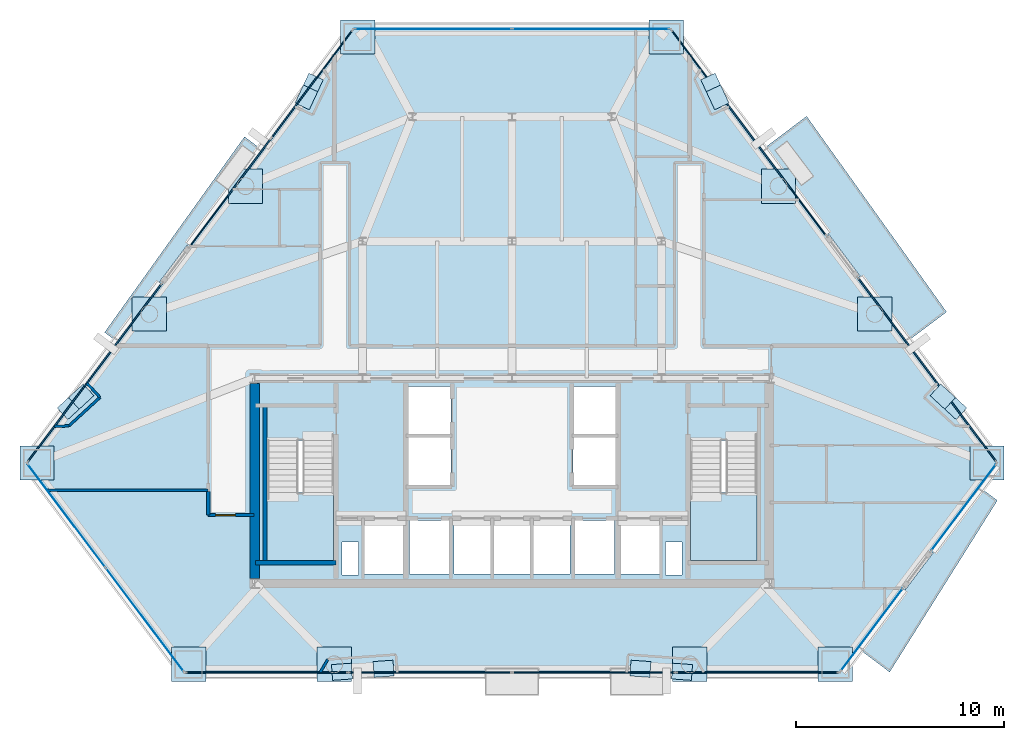
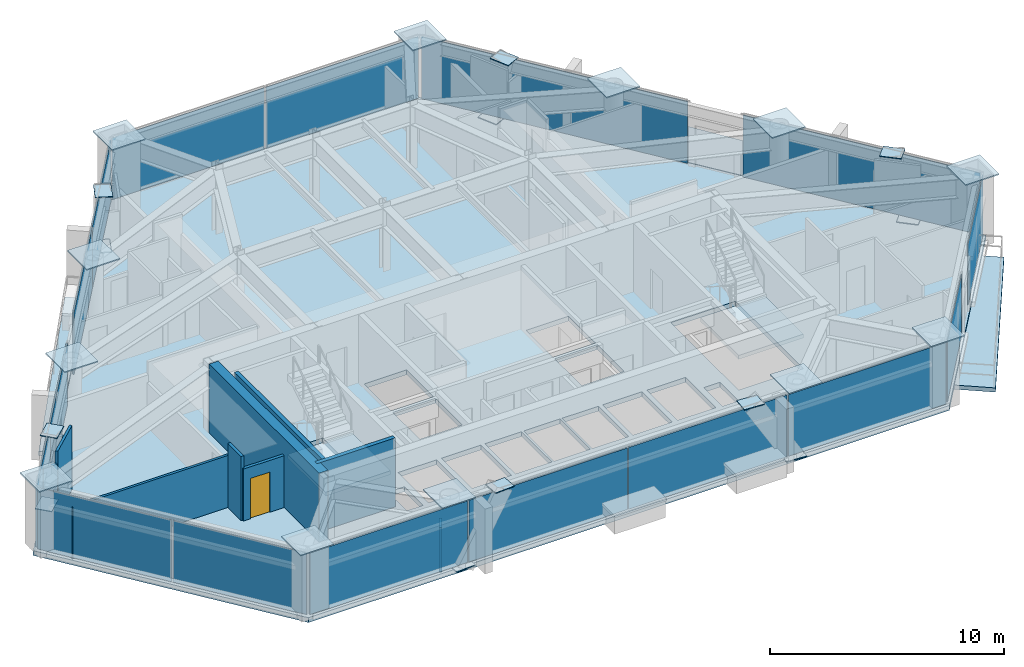
# One storey, part 5 of 10: 39 plates, 10 walls, 6 slabs, 1 door, 1 opening, 11 elements without a shape of their own.
"""IFC4 building model written with IfcOpenShell, lengths in metres."""

from ifc_helpers import new_model, si_unit, direction, frame, frame_2d, origin, origin_2d, place, context, subcontext, project, spatial, polyline, rectangle, outline, extrude, source, transform, mapped, material, layer, layer_set, type_object, type_shapes, element, fill, aggregate, save


model = new_model("IFC4")

# Units and contexts
model_context = context("Model", 3, precision=1e-05, world=origin(), true_north=direction((0.0, 1.0)))
body_context = subcontext(model_context, "Body", "Model", "MODEL_VIEW")
ifc_project = project(units=[si_unit("LENGTHUNIT", "METRE"), si_unit("AREAUNIT", "SQUARE_METRE"), si_unit("VOLUMEUNIT", "CUBIC_METRE"), si_unit("PLANEANGLEUNIT", "RADIAN"), si_unit("MASSUNIT", "GRAM", prefix="KILO")], contexts=[model_context])

# Site, building, storey
site_placement = place(None, origin())
site = spatial("IfcSite", under=ifc_project, at=site_placement, CompositionType="ELEMENT")
building_placement = place(site_placement, origin())
building = spatial("IfcBuilding", under=site, at=building_placement, Name="Talgorran Terracotta Tower", CompositionType="ELEMENT")
storey_placement = place(building_placement, frame((0.0, 0.0, 64.800048828125)))
storey = spatial("IfcBuildingStorey", under=building, at=storey_placement, Name="L16", CompositionType="ELEMENT", Elevation=64.800048828125)

# Plates
ifc_material_1 = material(Name="Steel Grade 350 (350L0)", Category="steel")
ifc_layer_1 = layer(ifc_material_1, 0.0400390625, Name="PL_CAP_MN05")
ifc_layer_set_1 = layer_set([ifc_layer_1], Name="Steel Grade 350 (350L0)")
plate_type_1 = type_object("IfcPlateType", Name="PL_CAP_MN05", PredefinedType="USERDEFINED", material=ifc_layer_set_1)
for number, where, z_axis, x_axis, name in (
    (1, (-8.19482421875, -18.35107421875, -0.010009765625), (0.0, 0.0, 1.0), (0.997428289081, 0.0716715295, 0.0), "L16 Diagonal Frame End Cap SWF Bot"),
    (2, (-6.187255859375, -18.206787109375, 3.31982421875), (0.0, 0.0, 1.0), (0.997428289081, 0.0716715295, 0.0), "L16 Diagonal Frame End Cap SWF Top"),
    (3, (8.19482421875, -18.35107421875, -0.010009765625), (0.0, 0.0, 1.0), (-0.997428289081, 0.0716715295, 0.0), "L16 Diagonal Frame End Cap SEF Bot"),
    (4, (6.187255859375, -18.206787109375, 3.31982421875), (0.0, 0.0, 1.0), (-0.997428289081, 0.0716715295, 0.0), "L16 Diagonal Frame End Cap SEF Top"),
    (5, (21.30810546875, -5.593017578125, -0.010009765625), (0.0, 0.0, 1.0), (-0.736687492475, 0.67623334614, 0.0), "L16 Diagonal Frame End Cap NEL Bot"),
    (6, (20.759765625, -5.089599609375, 3.31982421875), (0.0, 0.0, 1.0), (-0.736687492475, 0.67623334614, 0.0), "L16 Diagonal Frame End Cap NEL Top"),
    (7, (9.64501953125, 9.89990234375, -0.010009765625), (0.0, 0.0, 1.0), (0.421827198174, -0.906676245901, 0.0), "L16 Diagonal Frame End Cap NEU Bot"),
    (8, (9.910400390625, 9.32958984375, 3.31982421875), (0.0, 0.0, 1.0), (0.421827198174, -0.906676245901, 0.0), "L16 Diagonal Frame End Cap NEU Top"),
    (9, (-9.64501953125, 9.89990234375, -0.010009765625), (0.0, 0.0, 1.0), (-0.421827198174, -0.906676245901, 0.0), "L16 Diagonal Frame End Cap NWU Bot"),
    (10, (-9.910400390625, 9.32958984375, 3.31982421875), (0.0, 0.0, 1.0), (-0.421827198174, -0.906676245901, 0.0), "L16 Diagonal Frame End Cap NWU Top"),
    (11, (-21.30810546875, -5.593017578125, -0.010009765625), (0.0, 0.0, 1.0), (0.736687492475, 0.67623334614, 0.0), "L16 Diagonal Frame End Cap NWL Bot"),
    (12, (-20.759765625, -5.089599609375, 3.31982421875), (0.0, 0.0, 1.0), (0.736687492475, 0.67623334614, 0.0), "L16 Diagonal Frame End Cap NWL Top"),
):
    element("IfcPlate", number, at=place(storey_placement, frame(where, z_axis=z_axis, x_axis=x_axis)), inside=storey, type_object=plate_type_1, Name=name, ObjectType="CAP PLATE", PredefinedType="USERDEFINED", context=body_context, shape_type="SweptSolid", body=[
        extrude(rectangle(XDim=0.9599609375, YDim=0.760009765625, at=origin_2d()), origin(), (0.0, 0.0, 1.0), 0.0400390625),
    ])
ifc_layer_2 = layer(ifc_material_1, 0.06005859375, Name="PL_NODE_MN01")
ifc_layer_set_2 = layer_set([ifc_layer_2], Name="Steel Grade 350 (350L0)")
plate_type_2 = type_object("IfcPlateType", Name="PL_NODE_MN01", PredefinedType="USERDEFINED", material=ifc_layer_set_2)
for number, where, z_axis, x_axis, name in (
    (13, (-22.88525390625, -8.28662109375, 3.5849609375), (0.0, 0.0, 1.0), (1.0, 0.0, 0.0), "L16 Mega-Column Cap Plate MC1"),
    (14, (-15.57958984375, -17.9912109375, 3.5849609375), (0.0, 0.0, 1.0), (1.0, 0.0, 0.0), "L16 Mega-Column Cap Plate MC2"),
    (15, (15.57958984375, -17.9912109375, 3.5849609375), (0.0, 0.0, 1.0), (1.0, 0.0, 0.0), "L16 Mega-Column Cap Plate MC3"),
    (16, (22.88525390625, -8.28662109375, 3.5849609375), (0.0, 0.0, 1.0), (1.0, 0.0, 0.0), "L16 Mega-Column Cap Plate MC4"),
    (17, (7.437744140625, 12.2333984375, 3.5849609375), (0.0, 0.0, 1.0), (1.0, 0.0, 0.0), "L16 Mega-Column Cap Plate MC5"),
    (18, (-7.437744140625, 12.2333984375, 3.5849609375), (0.0, 0.0, 1.0), (1.0, 0.0, 0.0), "L16 Mega-Column Cap Plate MC6"),
    (19, (-8.56884765625, -17.9912109375, 3.5849609375), (0.0, 0.0, 1.0), (1.0, 0.0, 0.0), "L16 Facet Column Cap Plate FC1"),
    (20, (8.56884765625, -17.9912109375, 3.5849609375), (0.0, 0.0, 1.0), (1.0, 0.0, 0.0), "L16 Facet Column Cap Plate FC2"),
    (21, (17.478515625, -1.1044921875, 3.5849609375), (0.0, 0.0, 1.0), (1.0, 0.0, 0.0), "L16 Facet Column Cap Plate FC3"),
    (22, (12.844482421875, 5.05126953125, 3.5849609375), (0.0, 0.0, 1.0), (1.0, 0.0, 0.0), "L16 Facet Column Cap Plate FC4"),
    (23, (-12.844482421875, 5.05126953125, 3.5849609375), (0.0, 0.0, 1.0), (1.0, 0.0, 0.0), "L16 Facet Column Cap Plate FC5"),
    (24, (-17.478515625, -1.1044921875, 3.5849609375), (0.0, 0.0, 1.0), (1.0, 0.0, 0.0), "L16 Facet Column Cap Plate FC6"),
):
    element("IfcPlate", number, at=place(storey_placement, frame(where, z_axis=z_axis, x_axis=x_axis)), inside=storey, type_object=plate_type_2, Name=name, ObjectType="NODE PLATE", PredefinedType="USERDEFINED", context=body_context, shape_type="SweptSolid", body=[
        extrude(rectangle(XDim=1.64990234375, YDim=1.64990234375, at=origin_2d()), origin(), (0.0, 0.0, 1.0), 0.06005859375),
    ])

# Slabs
ifc_material_2 = material(Name="Concrete C40/50", Category="concrete")
ifc_layer_3 = layer(ifc_material_2, 0.219970703125, Name="SL_BALCONY_220")
ifc_layer_set_3 = layer_set([ifc_layer_3], Name="Concrete C40/50")
slab_type_1 = type_object("IfcSlabType", Name="SL_BALCONY_220", PredefinedType="FLOOR", material=ifc_layer_set_3)
slab_1_placement = place(storey_placement, frame((0.0, 0.0, -0.219970703125)))
element("IfcSlab", 25, at=slab_1_placement, inside=storey, type_object=slab_type_1, Name="L16 Outdoor Wave Balcony BAL-NE", PredefinedType="FLOOR", context=body_context, shape_type="SweptSolid", body=[
    extrude(outline(polyline([(12.14404296875, 6.87109375), (19.11328125, -2.386474609375), (20.940673828125, -1.0107421875), (14.197509765625, 8.4169921875), (12.14404296875, 6.87109375)])), origin(), (0.0, 0.0, 1.0), 0.219970703125),
])
slab_2_placement = place(storey_placement, frame((0.0, 0.0, -0.219970703125)))
element("IfcSlab", 26, at=slab_2_placement, inside=storey, type_object=slab_type_1, Name="L16 Outdoor Wave Balcony BAL-NW", PredefinedType="FLOOR", context=body_context, shape_type="SweptSolid", body=[
    extrude(outline(polyline([(-19.11328125, -2.386474609375), (-12.14404296875, 6.87109375), (-12.88916015625, 7.43212890625), (-19.63232421875, -1.99560546875), (-19.11328125, -2.386474609375)])), origin(), (0.0, 0.0, 1.0), 0.219970703125),
])
slab_3_placement = place(storey_placement, frame((0.0, 0.0, -0.219970703125)))
element("IfcSlab", 27, at=slab_3_placement, inside=storey, type_object=slab_type_1, Name="L16 Outdoor Wave Balcony BAL-SE", PredefinedType="FLOOR", context=body_context, shape_type="SweptSolid", body=[
    extrude(outline(polyline([(22.62451171875, -9.522705078125), (16.774658203125, -17.293212890625), (18.19921875, -18.365478515625), (23.388671875, -10.097900390625), (22.62451171875, -9.522705078125)])), origin(), (0.0, 0.0, 1.0), 0.219970703125),
])

# Stair, slab
stair_type = type_object("IfcStairType", Name="ST_FIRE_SCISSOR", PredefinedType="HALF_TURN_STAIR", material=ifc_material_2)
stair_1_placement = place(storey_placement, origin())
stair_1 = element("IfcStair", 28, at=stair_1_placement, inside=storey, type_object=stair_type, Name="L16 West Protected Fire Stair ST-01", PredefinedType="HALF_TURN_STAIR")
ifc_layer_4 = layer(ifc_material_2, 0.199951171875, Name="SL_LANDING_200")
ifc_layer_set_4 = layer_set([ifc_layer_4], Name="Concrete C40/50")
slab_type_2 = type_object("IfcSlabType", Name="SL_LANDING_200", PredefinedType="LANDING", material=ifc_layer_set_4)
slab_4_placement = place(storey_placement, frame((0.0, 0.0, 1.599853515625)))
slab_4 = element("IfcSlab", 29, at=slab_4_placement, type_object=slab_type_2, Name="ST-01 landing 1", PredefinedType="LANDING", context=body_context, shape_type="SweptSolid", body=[
    extrude(outline(polyline([(-11.800048828125, -9.719970703125), (-11.800048828125, -13.0), (-8.60009765625, -13.0), (-8.60009765625, -9.719970703125), (-11.800048828125, -9.719970703125)])), origin(), (0.0, 0.0, 1.0), 0.2001953125),
])
aggregate(stair_1, [slab_4])

stair_2_placement = place(storey_placement, origin())
stair_2 = element("IfcStair", 30, at=stair_2_placement, inside=storey, type_object=stair_type, Name="L16 East Protected Fire Stair ST-02", PredefinedType="HALF_TURN_STAIR")
slab_5_placement = place(storey_placement, frame((0.0, 0.0, 1.599853515625)))
slab_5 = element("IfcSlab", 31, at=slab_5_placement, type_object=slab_type_2, Name="ST-02 landing 1", PredefinedType="LANDING", context=body_context, shape_type="SweptSolid", body=[
    extrude(outline(polyline([(8.60009765625, -9.719970703125), (8.60009765625, -13.0), (11.800048828125, -13.0), (11.800048828125, -9.719970703125), (8.60009765625, -9.719970703125)])), origin(), (0.0, 0.0, 1.0), 0.2001953125),
])
aggregate(stair_2, [slab_5])

# Slab
ifc_layer_5 = layer(ifc_material_2, 0.264892578125, Name="SL_TOWER_265")
ifc_layer_set_5 = layer_set([ifc_layer_5], Name="Concrete C40/50")
slab_type_3 = type_object("IfcSlabType", Name="SL_TOWER_265", PredefinedType="FLOOR", material=ifc_layer_set_5)
slab_6_placement = place(storey_placement, frame((0.0, 0.0, -0.25)))
element("IfcSlab", 32, at=slab_6_placement, inside=storey, type_object=slab_type_3, Name="Storey L16 Structural Floor Slab", PredefinedType="FLOOR", context=body_context, shape_type="SweptSolid", body=[
    extrude(outline(polyline([(-23.5361328125, -8.28662109375), (-15.839111328125, -18.510986328125), (15.839111328125, -18.510986328125), (23.5361328125, -8.28662109375), (7.697021484375, 12.75341796875), (-7.697021484375, 12.75341796875), (-23.5361328125, -8.28662109375)]), holes=[polyline([(-11.800048828125, -7.199951171875), (-11.800048828125, -13.0), (-8.60009765625, -13.0), (-8.60009765625, -7.199951171875), (-11.800048828125, -7.199951171875)]), polyline([(8.60009765625, -7.199951171875), (8.60009765625, -13.0), (11.800048828125, -13.0), (11.800048828125, -7.199951171875), (8.60009765625, -7.199951171875)]), polyline([(-7.10009765625, -13.64990234375), (-5.199951171875, -13.64990234375), (-5.199951171875, -11.050048828125), (-7.10009765625, -11.050048828125), (-7.10009765625, -13.64990234375)]), polyline([(5.199951171875, -13.64990234375), (7.10009765625, -13.64990234375), (7.10009765625, -11.050048828125), (5.199951171875, -11.050048828125), (5.199951171875, -13.64990234375)]), polyline([(3.0, -13.64990234375), (4.949951171875, -13.64990234375), (4.949951171875, -11.050048828125), (3.0, -11.050048828125), (3.0, -13.64990234375)]), polyline([(-4.949951171875, -13.64990234375), (-3.0, -13.64990234375), (-3.0, -11.050048828125), (-4.949951171875, -11.050048828125), (-4.949951171875, -13.64990234375)]), polyline([(-5.050048828125, -9.35009765625), (-2.949951171875, -9.35009765625), (-2.949951171875, -7.050048828125), (-5.050048828125, -7.050048828125), (-5.050048828125, -9.35009765625)]), polyline([(-5.050048828125, -6.89990234375), (-2.949951171875, -6.89990234375), (-2.949951171875, -4.60009765625), (-5.050048828125, -4.60009765625), (-5.050048828125, -6.89990234375)]), polyline([(2.949951171875, -9.35009765625), (5.050048828125, -9.35009765625), (5.050048828125, -7.050048828125), (2.949951171875, -7.050048828125), (2.949951171875, -9.35009765625)]), polyline([(2.949951171875, -6.89990234375), (5.050048828125, -6.89990234375), (5.050048828125, -4.60009765625), (2.949951171875, -4.60009765625), (2.949951171875, -6.89990234375)]), polyline([(-2.800048828125, -13.64990234375), (-1.0, -13.64990234375), (-1.0, -11.050048828125), (-2.800048828125, -11.050048828125), (-2.800048828125, -13.64990234375)]), polyline([(-0.89990234375, -13.64990234375), (0.89990234375, -13.64990234375), (0.89990234375, -11.050048828125), (-0.89990234375, -11.050048828125), (-0.89990234375, -13.64990234375)]), polyline([(1.0, -13.64990234375), (2.800048828125, -13.64990234375), (2.800048828125, -11.050048828125), (1.0, -11.050048828125), (1.0, -13.64990234375)]), polyline([(-8.199951171875, -13.699951171875), (-7.39990234375, -13.699951171875), (-7.39990234375, -12.10009765625), (-8.199951171875, -12.10009765625), (-8.199951171875, -13.699951171875)]), polyline([(7.39990234375, -13.699951171875), (8.199951171875, -13.699951171875), (8.199951171875, -12.10009765625), (7.39990234375, -12.10009765625), (7.39990234375, -13.699951171875)])]), origin(), (0.0, 0.0, 1.0), 0.25),
])

# Curtain wall, plates
ifc_material_3 = material(Name="Unitised Low-E Double Glazing", Category="glass")
ifc_layer_6 = layer(ifc_material_3, 0.199951171875, Name="CW_SYS2_RES_LOW")
ifc_layer_set_6 = layer_set([ifc_layer_6], Name="Unitised Low-E Double Glazing")
curtain_wall_type = type_object("IfcCurtainWallType", Name="CW_SYS2_RES_LOW", PredefinedType="NOTDEFINED", material=ifc_layer_set_6)
curtain_wall_1_placement = place(storey_placement, origin())
curtain_wall_1 = element("IfcCurtainWall", 33, at=curtain_wall_1_placement, inside=storey, type_object=curtain_wall_type, Name="CW-L16-F0", PredefinedType="NOTDEFINED")
ifc_material_4 = material(Name="Low-E Laminated Vision Glass", Category="glass")
ifc_layer_7 = layer(ifc_material_4, 0.028076171875, Name="PLT_VISION_28")
ifc_layer_set_7 = layer_set([ifc_layer_7], Name="Low-E Laminated Vision Glass")
plate_type_3 = type_object("IfcPlateType", Name="PLT_VISION_28", PredefinedType="CURTAIN_PANEL", material=ifc_layer_set_7)
shared_shape_1 = source(origin(), body_context, "Body", "SweptSolid", [
    extrude(rectangle(XDim=6.226318359375, YDim=0.028076171875, at=origin_2d()), origin(), (0.0, 0.0, 1.0), 3.219970703125),
])
plate_1_placement = place(storey_placement, frame((-21.474609375, -10.82568359375, 0.06494140625), z_axis=(0.0, 0.0, 1.0), x_axis=(0.601442440957, -0.798916134657, 0.0)))
plate_1 = element("IfcPlate", 34, at=plate_1_placement, type_object=plate_type_3, Name="CW-L16-0 panel 1.1", PredefinedType="CURTAIN_PANEL", context=body_context, shape_type="MappedRepresentation", body=[
    mapped(shared_shape_1, transform((0.0, 0.0, 0.0), scale=1.0)),
])
plate_2_placement = place(storey_placement, frame((-17.690673828125, -15.85205078125, 0.06494140625), z_axis=(0.0, 0.0, 1.0), x_axis=(0.601442440957, -0.798916134657, 0.0)))
plate_2 = element("IfcPlate", 35, at=plate_2_placement, type_object=plate_type_3, Name="CW-L16-0 panel 2.1", PredefinedType="CURTAIN_PANEL", context=body_context, shape_type="MappedRepresentation", body=[
    mapped(shared_shape_1, transform((0.0, 0.0, 0.0), scale=1.0)),
])
aggregate(curtain_wall_1, [plate_1, plate_2])

curtain_wall_2_placement = place(storey_placement, origin())
curtain_wall_2 = element("IfcCurtainWall", 36, at=curtain_wall_2_placement, inside=storey, type_object=curtain_wall_type, Name="CW-L16-F1", PredefinedType="NOTDEFINED")
ifc_material_5 = material(Name="Terracotta Insulated Spandrel", Category="masonry")
ifc_layer_8 = layer(ifc_material_5, 0.06494140625, Name="PLT_SPANDREL_TERRA")
ifc_layer_set_8 = layer_set([ifc_layer_8], Name="Terracotta Insulated Spandrel")
plate_type_4 = type_object("IfcPlateType", Name="PLT_SPANDREL_TERRA", PredefinedType="SHEET", material=ifc_layer_set_8)
shared_shape_2 = source(origin(), body_context, "Body", "SweptSolid", [
    extrude(rectangle(XDim=7.7919921875, YDim=0.06494140625, at=origin_2d()), origin(), (0.0, 0.0, 1.0), 3.219970703125),
])
plate_3_placement = place(storey_placement, frame((-11.818115234375, -18.39111328125, 0.06494140625), z_axis=(0.0, 0.0, 1.0), x_axis=(1.0, 0.0, 0.0)))
plate_3 = element("IfcPlate", 37, at=plate_3_placement, type_object=plate_type_4, Name="CW-L16-1 panel 1.1", PredefinedType="CURTAIN_PANEL", context=body_context, shape_type="MappedRepresentation", body=[
    mapped(shared_shape_2, transform((0.0, 0.0, 0.0), scale=1.0)),
])
plate_4_placement = place(storey_placement, frame((11.818115234375, -18.39111328125, 0.06494140625), z_axis=(0.0, 0.0, 1.0), x_axis=(1.0, 0.0, 0.0)))
plate_4 = element("IfcPlate", 38, at=plate_4_placement, type_object=plate_type_4, Name="CW-L16-1 panel 4.1", PredefinedType="CURTAIN_PANEL", context=body_context, shape_type="MappedRepresentation", body=[
    mapped(shared_shape_2, transform((0.0, 0.0, 0.0), scale=1.0)),
])
shared_shape_3 = source(origin(), body_context, "Body", "SweptSolid", [
    extrude(rectangle(XDim=7.824462890625, YDim=0.06494140625, at=origin_2d()), origin(), (0.0, 0.0, 1.0), 3.219970703125),
])
plate_5_placement = place(storey_placement, frame((-3.94482421875, -18.39111328125, 0.06494140625), z_axis=(0.0, 0.0, 1.0), x_axis=(1.0, 0.0, 0.0)))
plate_5 = element("IfcPlate", 39, at=plate_5_placement, type_object=plate_type_4, Name="CW-L16-1 panel 2.1", PredefinedType="CURTAIN_PANEL", context=body_context, shape_type="MappedRepresentation", body=[
    mapped(shared_shape_3, transform((0.0, 0.0, 0.0), scale=1.0)),
])
plate_6_placement = place(storey_placement, frame((3.94482421875, -18.39111328125, 0.06494140625), z_axis=(0.0, 0.0, 1.0), x_axis=(1.0, 0.0, 0.0)))
plate_6 = element("IfcPlate", 40, at=plate_6_placement, type_object=plate_type_4, Name="CW-L16-1 panel 3.1", PredefinedType="CURTAIN_PANEL", context=body_context, shape_type="MappedRepresentation", body=[
    mapped(shared_shape_3, transform((0.0, 0.0, 0.0), scale=1.0)),
])
aggregate(curtain_wall_2, [plate_3, plate_5, plate_6, plate_4])

# Curtain wall, plate
curtain_wall_3_placement = place(storey_placement, origin())
curtain_wall_3 = element("IfcCurtainWall", 41, at=curtain_wall_3_placement, inside=storey, type_object=curtain_wall_type, Name="CW-L16-F30", PredefinedType="NOTDEFINED")
shared_shape_4 = source(origin(), body_context, "Body", "SweptSolid", [
    extrude(rectangle(XDim=4.970947265625, YDim=0.028076171875, at=origin_2d()), origin(), (0.0, 0.0, 1.0), 3.219970703125),
])
plate_7_placement = place(storey_placement, frame((17.337158203125, -16.321533203125, 0.06494140625), z_axis=(0.0, 0.0, 1.0), x_axis=(0.601441904389, 0.798916538598, 0.0)))
plate_7 = element("IfcPlate", 42, at=plate_7_placement, type_object=plate_type_3, Name="CW-L16-30 panel 1.1", PredefinedType="CURTAIN_PANEL", context=body_context, shape_type="MappedRepresentation", body=[
    mapped(shared_shape_4, transform((0.0, 0.0, 0.0), scale=1.0)),
])
aggregate(curtain_wall_3, [plate_7])

curtain_wall_4_placement = place(storey_placement, origin())
curtain_wall_4 = element("IfcCurtainWall", 43, at=curtain_wall_4_placement, inside=storey, type_object=curtain_wall_type, Name="CW-L16-F31", PredefinedType="NOTDEFINED")
shared_shape_5 = source(origin(), body_context, "Body", "SweptSolid", [
    extrude(rectangle(XDim=5.1767578125, YDim=0.028076171875, at=origin_2d()), origin(), (0.0, 0.0, 1.0), 3.219970703125),
])
plate_8_placement = place(storey_placement, frame((21.76611328125, -10.4384765625, 0.06494140625), z_axis=(0.0, 0.0, 1.0), x_axis=(0.601446242942, 0.798913272421, 0.0)))
plate_8 = element("IfcPlate", 44, at=plate_8_placement, type_object=plate_type_3, Name="CW-L16-31 panel 1.1", PredefinedType="CURTAIN_PANEL", context=body_context, shape_type="MappedRepresentation", body=[
    mapped(shared_shape_5, transform((0.0, 0.0, 0.0), scale=1.0)),
])
aggregate(curtain_wall_4, [plate_8])

curtain_wall_5_placement = place(storey_placement, origin())
curtain_wall_5 = element("IfcCurtainWall", 45, at=curtain_wall_5_placement, inside=storey, type_object=curtain_wall_type, Name="CW-L16-F40", PredefinedType="NOTDEFINED")
shared_shape_6 = source(origin(), body_context, "Body", "SweptSolid", [
    extrude(rectangle(XDim=11.025634765625, YDim=0.06494140625, at=origin_2d()), origin(), (0.0, 0.0, 1.0), 3.219970703125),
])
plate_9_placement = place(storey_placement, frame((20.007080078125, -3.79833984375, 0.06494140625), z_axis=(0.0, 0.0, 1.0), x_axis=(-0.60143902509, 0.798918706189, 0.0)))
plate_9 = element("IfcPlate", 46, at=plate_9_placement, type_object=plate_type_4, Name="CW-L16-40 panel 1.1", PredefinedType="CURTAIN_PANEL", context=body_context, shape_type="MappedRepresentation", body=[
    mapped(shared_shape_6, transform((0.0, 0.0, 0.0), scale=1.0)),
])
aggregate(curtain_wall_5, [plate_9])

curtain_wall_6_placement = place(storey_placement, origin())
curtain_wall_6 = element("IfcCurtainWall", 47, at=curtain_wall_6_placement, inside=storey, type_object=curtain_wall_type, Name="CW-L16-F41", PredefinedType="NOTDEFINED")
shared_shape_7 = source(origin(), body_context, "Body", "SweptSolid", [
    extrude(rectangle(XDim=12.359619140625, YDim=0.06494140625, at=origin_2d()), origin(), (0.0, 0.0, 1.0), 3.219970703125),
])
plate_10_placement = place(storey_placement, frame((11.417236328125, 7.6123046875, 0.06494140625), z_axis=(0.0, 0.0, 1.0), x_axis=(-0.601436387429, 0.798920691857, 0.0)))
plate_10 = element("IfcPlate", 48, at=plate_10_placement, type_object=plate_type_4, Name="CW-L16-41 panel 1.1", PredefinedType="CURTAIN_PANEL", context=body_context, shape_type="MappedRepresentation", body=[
    mapped(shared_shape_7, transform((0.0, 0.0, 0.0), scale=1.0)),
])
aggregate(curtain_wall_6, [plate_10])

# Curtain wall, plates
curtain_wall_7_placement = place(storey_placement, origin())
curtain_wall_7 = element("IfcCurtainWall", 49, at=curtain_wall_7_placement, inside=storey, type_object=curtain_wall_type, Name="CW-L16-F4", PredefinedType="NOTDEFINED")
shared_shape_8 = source(origin(), body_context, "Body", "SweptSolid", [
    extrude(rectangle(XDim=7.539794921875, YDim=0.028076171875, at=origin_2d()), origin(), (0.0, 0.0, 1.0), 3.219970703125),
])
type_shapes(plate_type_3, [shared_shape_1, shared_shape_4, shared_shape_5, shared_shape_8])
plate_11_placement = place(storey_placement, frame((3.80224609375, 12.63330078125, 0.06494140625), z_axis=(0.0, 0.0, 1.0), x_axis=(-1.0, 0.0, 0.0)))
plate_11 = element("IfcPlate", 50, at=plate_11_placement, type_object=plate_type_3, Name="CW-L16-4 panel 1.1", PredefinedType="CURTAIN_PANEL", context=body_context, shape_type="MappedRepresentation", body=[
    mapped(shared_shape_8, transform((0.0, 0.0, 0.0), scale=1.0)),
])
plate_12_placement = place(storey_placement, frame((-3.80224609375, 12.63330078125, 0.06494140625), z_axis=(0.0, 0.0, 1.0), x_axis=(-1.0, 0.0, 0.0)))
plate_12 = element("IfcPlate", 51, at=plate_12_placement, type_object=plate_type_3, Name="CW-L16-4 panel 2.1", PredefinedType="CURTAIN_PANEL", context=body_context, shape_type="MappedRepresentation", body=[
    mapped(shared_shape_8, transform((0.0, 0.0, 0.0), scale=1.0)),
])
aggregate(curtain_wall_7, [plate_11, plate_12])

curtain_wall_8_placement = place(storey_placement, origin())
curtain_wall_8 = element("IfcCurtainWall", 52, at=curtain_wall_8_placement, inside=storey, type_object=curtain_wall_type, Name="CW-L16-F60", PredefinedType="NOTDEFINED")
shared_shape_9 = source(origin(), body_context, "Body", "SweptSolid", [
    extrude(rectangle(XDim=6.463134765625, YDim=0.06494140625, at=origin_2d()), origin(), (0.0, 0.0, 1.0), 3.219970703125),
])
plate_13_placement = place(storey_placement, frame((-9.64404296875, 9.967529296875, 0.06494140625), z_axis=(0.0, 0.0, 1.0), x_axis=(-0.601439122361, -0.798918632962, 0.0)))
plate_13 = element("IfcPlate", 53, at=plate_13_placement, type_object=plate_type_4, Name="CW-L16-60 panel 1.1", PredefinedType="CURTAIN_PANEL", context=body_context, shape_type="MappedRepresentation", body=[
    mapped(shared_shape_9, transform((0.0, 0.0, 0.0), scale=1.0)),
])
plate_14_placement = place(storey_placement, frame((-13.5703125, 4.752197265625, 0.06494140625), z_axis=(0.0, 0.0, 1.0), x_axis=(-0.601439122361, -0.798918632962, 0.0)))
plate_14 = element("IfcPlate", 54, at=plate_14_placement, type_object=plate_type_4, Name="CW-L16-60 panel 2.1", PredefinedType="CURTAIN_PANEL", context=body_context, shape_type="MappedRepresentation", body=[
    mapped(shared_shape_9, transform((0.0, 0.0, 0.0), scale=1.0)),
])
aggregate(curtain_wall_8, [plate_13, plate_14])

# Curtain wall, plate
curtain_wall_9_placement = place(storey_placement, origin())
curtain_wall_9 = element("IfcCurtainWall", 55, at=curtain_wall_9_placement, inside=storey, type_object=curtain_wall_type, Name="CW-L16-F61", PredefinedType="NOTDEFINED")
shared_shape_10 = source(origin(), body_context, "Body", "SweptSolid", [
    extrude(rectangle(XDim=10.69384765625, YDim=0.06494140625, at=origin_2d()), origin(), (0.0, 0.0, 1.0), 3.219970703125),
])
type_shapes(plate_type_4, [shared_shape_2, shared_shape_3, shared_shape_6, shared_shape_7, shared_shape_9, shared_shape_10])
plate_15_placement = place(storey_placement, frame((-20.10693359375, -3.930908203125, 0.06494140625), z_axis=(0.0, 0.0, 1.0), x_axis=(-0.601437350443, -0.798919966888, 0.0)))
plate_15 = element("IfcPlate", 56, at=plate_15_placement, type_object=plate_type_4, Name="CW-L16-61 panel 1.1", PredefinedType="CURTAIN_PANEL", context=body_context, shape_type="MappedRepresentation", body=[
    mapped(shared_shape_10, transform((0.0, 0.0, 0.0), scale=1.0)),
])
aggregate(curtain_wall_9, [plate_15])

# Walls
ifc_material_6 = material(Name="Concrete C50/60", Category="concrete")
ifc_layer_9 = layer(ifc_material_6, 0.199951171875, Name="WT_CORE_200")
ifc_layer_set_9 = layer_set([ifc_layer_9], Name="Concrete C50/60")
wall_type_1 = type_object("IfcWallType", Name="WT_CORE_200", PredefinedType="SOLIDWALL", material=ifc_layer_set_9)
wall_1_placement = place(storey_placement, frame((-12.35009765625, -13.10009765625, 0.0), z_axis=(0.0, 0.0, 1.0), x_axis=(1.0, 0.0, 0.0)))
element("IfcWall", 57, at=wall_1_placement, inside=storey, type_object=wall_type_1, Name="WL-L16-CW-ST1-S", PredefinedType="SOLIDWALL", context=body_context, shape_type="SweptSolid", body=[
    extrude(rectangle(XDim=3.8701171875, YDim=0.199951171875, at=frame_2d((1.93505859375, 0.0))), origin(), (0.0, 0.0, 1.0), 3.599853515625),
])
wall_2_placement = place(storey_placement, frame((-11.89990234375, -13.10009765625, 0.0), z_axis=(0.0, 0.0, 1.0), x_axis=(0.0, 1.0, 0.0)))
element("IfcWall", 58, at=wall_2_placement, inside=storey, type_object=wall_type_1, Name="WL-L16-CW-ST1-W", PredefinedType="SOLIDWALL", context=body_context, shape_type="SweptSolid", body=[
    extrude(rectangle(XDim=7.580078125, YDim=0.199951171875, at=frame_2d((3.7900390625, 0.0))), origin(), (0.0, 0.0, 1.0), 3.599853515625),
])
ifc_material_7 = material(Name="Concrete C65/80", Category="concrete")
ifc_layer_10 = layer(ifc_material_7, 0.449951171875, Name="WT_CORE_EXT")
ifc_layer_set_10 = layer_set([ifc_layer_10], Name="Concrete C65/80")
wall_type_2 = type_object("IfcWallType", Name="WT_CORE_EXT", PredefinedType="SHEAR", material=ifc_layer_set_10)
wall_3_placement = place(storey_placement, frame((-12.39990234375, -13.85009765625, 0.0), z_axis=(0.0, 0.0, 1.0), x_axis=(0.0, 1.0, 0.0)))
element("IfcWall", 59, at=wall_3_placement, inside=storey, type_object=wall_type_2, Name="WL-L16-CW-OUT-W", PredefinedType="SHEAR", context=body_context, shape_type="SweptSolid", body=[
    extrude(rectangle(XDim=9.400146484375, YDim=0.449951171875, at=frame_2d((4.7001953125, 0.0))), origin(), (0.0, 0.0, 1.0), 3.599853515625),
])

# Wall, opening, door
ifc_material_8 = material(Name="Fire-Rated Steel Stud Plasterboard", Category="steel")
ifc_layer_11 = layer(ifc_material_8, 0.14990234375, Name="WT_FIRE_150")
ifc_layer_set_11 = layer_set([ifc_layer_11], Name="Fire-Rated Steel Stud Plasterboard")
wall_type_3 = type_object("IfcWallType", Name="WT_FIRE_150", PredefinedType="PARTITIONING", material=ifc_layer_set_11)
wall_4_placement = place(storey_placement, frame((-14.639892578125, -10.800048828125, 0.0), z_axis=(0.0, 0.0, 1.0), x_axis=(1.0, 0.0, 0.0)))
wall_4 = element("IfcWall", 60, at=wall_4_placement, inside=storey, type_object=wall_type_3, Name="WL-L16-W-L16-R03", PredefinedType="PARTITIONING", context=body_context, shape_type="SweptSolid", body=[
    extrude(rectangle(XDim=2.199951171875, YDim=0.14990234375, at=frame_2d((1.10009765625, 0.0))), origin(), (0.0, 0.0, 1.0), 2.71337890625),
])
opening_placement = place(wall_4_placement, frame((0.356689453125, 0.0, 0.0)))
opening = element("IfcOpeningElement", 61, at=opening_placement, cuts=wall_4, Name="Opening DR-L16-R02", PredefinedType="OPENING", context=body_context, shape_type="SweptSolid", body=[
    extrude(rectangle(XDim=0.955951171875, YDim=2.10409765625, at=frame_2d((0.47509765625, 1.052001953125))), frame((0.0, 0.0849609375, 0.0), z_axis=(0.0, -1.0, 0.0), x_axis=(1.0, 0.0, 0.0)), (0.0, 0.0, 1.0), 0.169921875),
])
ifc_material_9 = material(Name="Fire-Rated Timber Core", Category="wood")
door_type = type_object("IfcDoorType", Name="DT_FIRE_950", OperationType="NOTDEFINED", PredefinedType="DOOR", material=ifc_material_9)
door_placement = place(opening_placement, origin())
door = element("IfcDoor", 62, at=door_placement, inside=storey, type_object=door_type, Name="DR-L16-R02", OperationType="SINGLE_SWING_RIGHT", OverallHeight=2.10009765625, OverallWidth=0.949951171875, PredefinedType="DOOR", context=body_context, shape_type="SweptSolid", body=[
    extrude(rectangle(XDim=0.949951171875, YDim=2.10009765625, at=frame_2d((0.47509765625, 1.050048828125))), frame((0.0, 0.02490234375, 0.0), z_axis=(0.0, -1.0, 0.0), x_axis=(1.0, 0.0, 0.0)), (0.0, 0.0, 1.0), 0.050048828125),
])
fill(opening, door)

# Walls
wall_5_placement = place(storey_placement, frame((-14.639892578125, -10.800048828125, 0.0), z_axis=(0.0, 0.0, 1.0), x_axis=(0.0, 1.0, 0.0)))
element("IfcWall", 63, at=wall_5_placement, inside=storey, type_object=wall_type_3, Name="WL-L16-W-L16-R02", PredefinedType="PARTITIONING", context=body_context, shape_type="SweptSolid", body=[
    extrude(rectangle(XDim=1.137939453125, YDim=0.14990234375, at=frame_2d((0.56884765625, 0.0))), origin(), (0.0, 0.0, 1.0), 3.349853515625),
])
ifc_material_10 = material(Name="Insulated Steel Stud Plasterboard", Category="steel")
ifc_layer_12 = layer(ifc_material_10, 0.1201171875, Name="WT_PART_120")
ifc_layer_set_12 = layer_set([ifc_layer_12], Name="Insulated Steel Stud Plasterboard")
wall_type_4 = type_object("IfcWallType", Name="WT_PART_120", PredefinedType="PARTITIONING", material=ifc_layer_set_12)
wall_6_placement = place(storey_placement, frame((-22.397216796875, -9.60009765625, 0.0), z_axis=(0.0, 0.0, 1.0), x_axis=(1.0, 0.0, 0.0)))
element("IfcWall", 64, at=wall_6_placement, inside=storey, type_object=wall_type_4, Name="WL-L16-W-L16-R21", PredefinedType="PARTITIONING", context=body_context, shape_type="SweptSolid", body=[
    extrude(rectangle(XDim=7.75732421875, YDim=0.1201171875, at=frame_2d((3.878662109375, 0.0))), origin(), (0.0, 0.0, 1.0), 2.71337890625),
])
wall_7_placement = place(storey_placement, frame((-19.85546875, -5.12841796875, 0.0), z_axis=(0.0, 0.0, 1.0), x_axis=(-0.736728490611, -0.67618868012, 0.0)))
element("IfcWall", 65, at=wall_7_placement, inside=storey, type_object=wall_type_4, Name="WL-L16-BW-L16-08", PredefinedType="PARTITIONING", context=body_context, shape_type="SweptSolid", body=[
    extrude(rectangle(XDim=2.0244140625, YDim=0.1201171875, at=frame_2d((1.01220703125, 0.0))), origin(), (0.0, 0.0, 1.0), 3.349853515625),
])
wall_8_placement = place(storey_placement, frame((-20.48193359375, -4.44580078125, 0.0), z_axis=(0.0, 0.0, 1.0), x_axis=(0.676154076812, -0.736760248935, 0.0)))
element("IfcWall", 66, at=wall_8_placement, inside=storey, type_object=wall_type_4, Name="WL-L16-BW-L16-07", PredefinedType="PARTITIONING", context=body_context, shape_type="SweptSolid", body=[
    extrude(rectangle(XDim=0.926513671875, YDim=0.1201171875, at=frame_2d((0.46337890625, 0.0))), origin(), (0.0, 0.0, 1.0), 2.71337890625),
])
wall_9_placement = place(storey_placement, frame((-9.242919921875, -18.381103515625, 0.0), z_axis=(0.0, 0.0, 1.0), x_axis=(0.504649985928, 0.863324036329, 0.0)))
element("IfcWall", 67, at=wall_9_placement, inside=storey, type_object=wall_type_4, Name="WL-L16-BW-L16-03", PredefinedType="PARTITIONING", context=body_context, shape_type="SweptSolid", body=[
    extrude(rectangle(XDim=0.720947265625, YDim=0.1201171875, at=frame_2d((0.3603515625, 0.0))), origin(), (0.0, 0.0, 1.0), 2.324951171875),
])
wall_10_placement = place(storey_placement, frame((-21.346923828125, -6.497314453125, 0.0), z_axis=(0.0, 0.0, 1.0), x_axis=(-0.998778903867, -0.049403453218, 0.0)))
element("IfcWall", 68, at=wall_10_placement, inside=storey, type_object=wall_type_4, Name="WL-L16-BW-L16-09", PredefinedType="PARTITIONING", context=body_context, shape_type="SweptSolid", body=[
    extrude(rectangle(XDim=0.706787109375, YDim=0.1201171875, at=frame_2d((0.353515625, 0.0))), origin(), (0.0, 0.0, 1.0), 2.71337890625),
])

save(model, "model.ifc")
